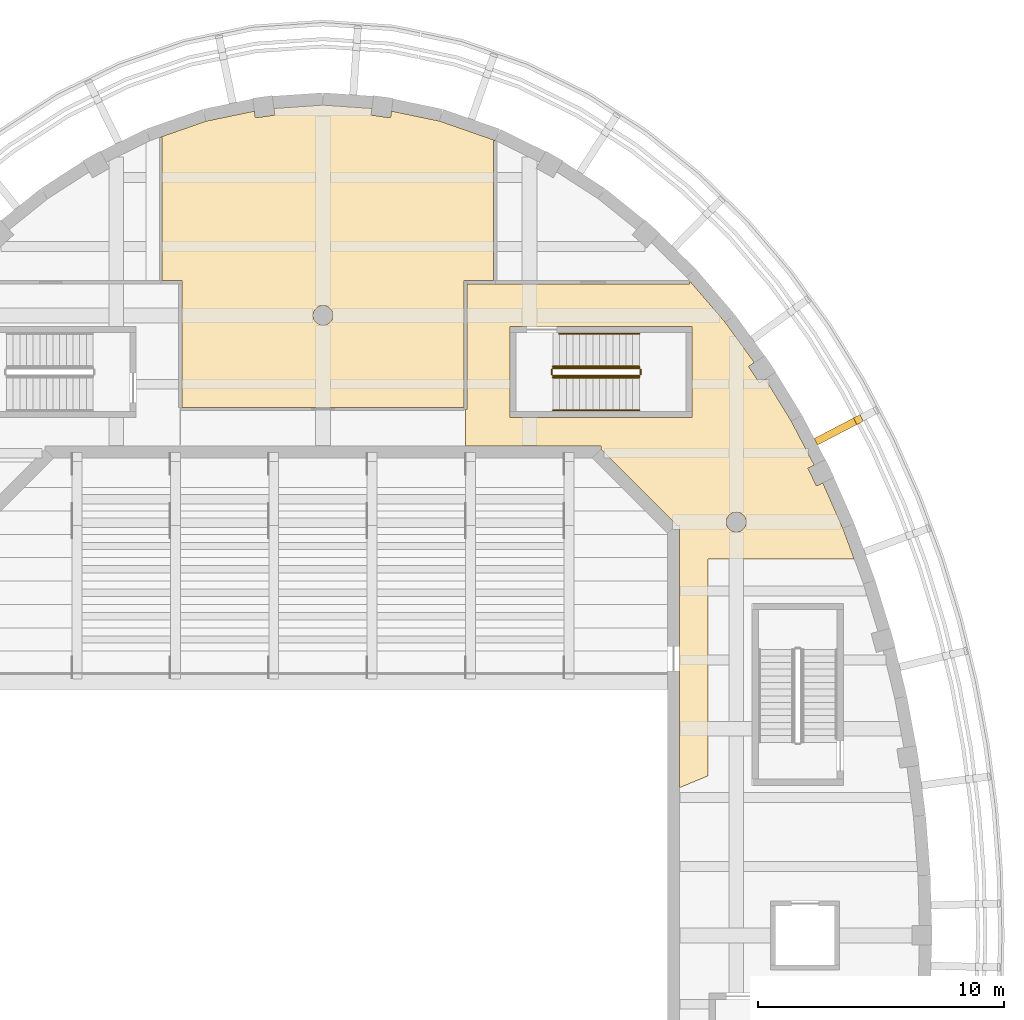
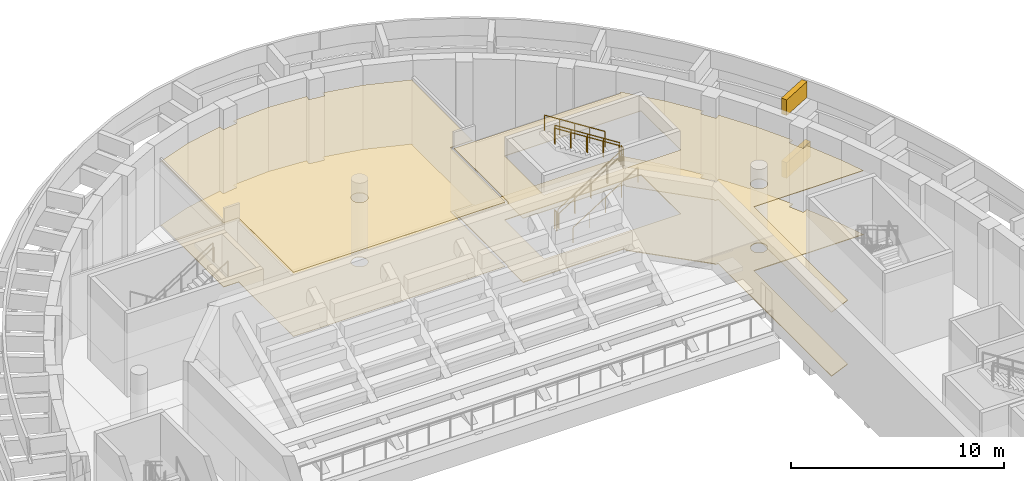
# One storey, part 36 of 37: 8 railings, 6 coverings.
"""IFC4 building model written with IfcOpenShell, lengths in metres."""

from ifc_helpers import new_model, si_unit, direction, frame, origin, origin_2d, place, context, subcontext, project, spatial, polyline, rectangle, circle, outline, extrude, material, layer, layer_set, type_object, element, save


model = new_model("IFC4")

# Units and contexts
model_context = context("Model", 3, precision=1e-05, world=origin(), true_north=direction((0.0, 1.0)))
body_context = subcontext(model_context, "Body", "Model", "MODEL_VIEW")
ifc_project = project(units=[si_unit("LENGTHUNIT", "METRE"), si_unit("AREAUNIT", "SQUARE_METRE"), si_unit("VOLUMEUNIT", "CUBIC_METRE"), si_unit("PLANEANGLEUNIT", "RADIAN"), si_unit("MASSUNIT", "GRAM", prefix="KILO")], contexts=[model_context])

# Site, building, storey
site_placement = place(None, origin())
site = spatial("IfcSite", under=ifc_project, at=site_placement, CompositionType="ELEMENT")
building_placement = place(site_placement, origin())
building = spatial("IfcBuilding", under=site, at=building_placement, Name="Larchfold Concert Hall", CompositionType="ELEMENT")
storey_placement = place(building_placement, frame((0.0, 0.0, 19.199951171875)))
storey = spatial("IfcBuildingStorey", under=building, at=storey_placement, Name="L04", CompositionType="ELEMENT", Elevation=19.199951171875)

# Coverings
ifc_material_1 = material(Name="Plasterboard ceiling lining")
ifc_layer_1 = layer(ifc_material_1, 0.030029296875)
ifc_layer_set_1 = layer_set([ifc_layer_1], Name="Plasterboard ceiling lining")
covering_type_1 = type_object("IfcCoveringType", Name="Ceiling suspended plasterboard 30", PredefinedType="CEILING", material=ifc_layer_set_1)
covering_1_placement = place(storey_placement, frame((0.0, 0.0, 3.670166015625)))
element("IfcCovering", 1, at=covering_1_placement, inside=storey, type_object=covering_type_1, Name="Ceiling Hall Foyer North East", PredefinedType="CEILING", context=body_context, shape_type="SweptSolid", body=[
    extrude(outline(polyline([(48.40087890625, 105.97998046875), (48.40087890625, 104.5), (53.89990234375, 104.5), (53.89990234375, 104.353759765625), (56.9541015625, 101.299560546875), (56.92724609375, 101.272705078125), (56.948974609375, 101.251220703125), (57.10009765625, 101.251220703125), (57.10009765625, 90.606201171875), (58.25, 91.08251953125), (58.252197265625, 99.896484375), (64.19384765625, 99.900146484375), (63.732177734375, 101.1494140625), (62.9169921875, 102.994873046875), (62.658203125, 102.870361328125), (62.3115234375, 103.591552734375), (62.56982421875, 103.715576171875), (61.635986328125, 105.502685546875), (60.579833984375, 107.218994140625), (60.342529296875, 107.060791015625), (59.898681640625, 107.726318359375), (60.13525390625, 107.884033203125), (58.953857421875, 109.514892578125), (57.553955078125, 111.149169921875), (57.4990234375, 111.149169921875), (57.4990234375, 111.073974609375), (49.6201171875, 111.073974609375), (49.6201171875, 111.149169921875), (49.618896484375, 111.08642578125), (48.46337890625, 111.08642578125), (48.46337890625, 105.97998046875), (48.40087890625, 105.97998046875)]), holes=[polyline([(59.29638671875, 101.013427734375), (59.246826171875, 101.0302734375), (59.199951171875, 101.053466796875), (59.156494140625, 101.08251953125), (59.116943359375, 101.116943359375), (59.08251953125, 101.156494140625), (59.053466796875, 101.199951171875), (59.0302734375, 101.246826171875), (59.013427734375, 101.29638671875), (59.00341796875, 101.34765625), (59.0, 101.39990234375), (59.00341796875, 101.4521484375), (59.013427734375, 101.50341796875), (59.0302734375, 101.552978515625), (59.053466796875, 101.599853515625), (59.08251953125, 101.643310546875), (59.116943359375, 101.682861328125), (59.156494140625, 101.71728515625), (59.199951171875, 101.746337890625), (59.246826171875, 101.76953125), (59.29638671875, 101.786376953125), (59.34765625, 101.79638671875), (59.39990234375, 101.7998046875), (59.4521484375, 101.79638671875), (59.50341796875, 101.786376953125), (59.552978515625, 101.76953125), (59.599853515625, 101.746337890625), (59.643310546875, 101.71728515625), (59.682861328125, 101.682861328125), (59.71728515625, 101.643310546875), (59.746337890625, 101.599853515625), (59.76953125, 101.552978515625), (59.786376953125, 101.50341796875), (59.79638671875, 101.4521484375), (59.7998046875, 101.39990234375), (59.79638671875, 101.34765625), (59.786376953125, 101.29638671875), (59.76953125, 101.246826171875), (59.746337890625, 101.199951171875), (59.71728515625, 101.156494140625), (59.682861328125, 101.116943359375), (59.643310546875, 101.08251953125), (59.599853515625, 101.053466796875), (59.552978515625, 101.0302734375), (59.50341796875, 101.013427734375), (59.4521484375, 101.00341796875), (59.39990234375, 101.0), (59.34765625, 101.00341796875), (59.29638671875, 101.013427734375)]), polyline([(50.199951171875, 105.64990234375), (50.199951171875, 109.35009765625), (57.60009765625, 109.35009765625), (57.60009765625, 105.64990234375), (50.199951171875, 105.64990234375)])]), origin(), (0.0, 0.0, 1.0), 0.030029296875),
])
covering_2_placement = place(storey_placement, frame((0.0, 0.0, 3.670166015625)))
element("IfcCovering", 2, at=covering_2_placement, inside=storey, type_object=covering_type_1, Name="Ceiling Hall Control Room", PredefinedType="CEILING", context=body_context, shape_type="SweptSolid", body=[
    extrude(outline(polyline([(36.800048828125, 106.0625), (48.3349609375, 106.0625), (48.3349609375, 106.0), (48.33837890625, 111.21142578125), (49.60009765625, 111.21142578125), (49.60009765625, 111.22509765625), (49.525146484375, 111.22509765625), (49.525146484375, 116.881103515625), (49.60009765625, 116.881103515625), (49.60009765625, 116.910888671875), (47.34130859375, 117.697509765625), (45.385009765625, 118.103271484375), (45.34765625, 117.833251953125), (44.55517578125, 117.942626953125), (44.59228515625, 118.212158203125), (42.60009765625, 118.349609375), (40.60791015625, 118.212158203125), (40.64501953125, 117.942626953125), (39.8525390625, 117.833251953125), (39.815185546875, 118.103271484375), (37.85888671875, 117.697509765625), (36.0, 117.05029296875), (36.0, 117.034912109375), (36.050048828125, 117.034912109375), (36.049072265625, 111.21142578125), (36.861572265625, 111.21142578125), (36.861572265625, 106.06494140625), (36.800048828125, 106.0625)]), holes=[polyline([(42.49658203125, 109.41357421875), (42.400146484375, 109.45361328125), (42.356689453125, 109.482666015625), (42.28271484375, 109.556640625), (42.23046875, 109.64697265625), (42.213623046875, 109.696533203125), (42.20361328125, 109.747802734375), (42.20361328125, 109.852294921875), (42.23046875, 109.953125), (42.253662109375, 110.0), (42.28271484375, 110.04345703125), (42.356689453125, 110.117431640625), (42.447021484375, 110.169677734375), (42.49658203125, 110.1865234375), (42.60009765625, 110.199951171875), (42.65234375, 110.196533203125), (42.70361328125, 110.1865234375), (42.800048828125, 110.146484375), (42.843505859375, 110.117431640625), (42.91748046875, 110.04345703125), (42.9697265625, 109.953125), (42.986572265625, 109.903564453125), (42.99658203125, 109.852294921875), (42.99658203125, 109.747802734375), (42.9697265625, 109.64697265625), (42.946533203125, 109.60009765625), (42.91748046875, 109.556640625), (42.843505859375, 109.482666015625), (42.753173828125, 109.430419921875), (42.70361328125, 109.41357421875), (42.60009765625, 109.400146484375), (42.49658203125, 109.41357421875)])]), origin(), (0.0, 0.0, 1.0), 0.030029296875),
])
ifc_material_2 = material(Name="Polished terrazzo")
ifc_layer_2 = layer(ifc_material_2, 0.0400390625)
ifc_layer_set_2 = layer_set([ifc_layer_2], Name="Polished terrazzo")
covering_type_2 = type_object("IfcCoveringType", Name="Floor finish terrazzo 40", PredefinedType="FLOORING", material=ifc_layer_set_2)
covering_3_placement = place(storey_placement, origin())
element("IfcCovering", 3, at=covering_3_placement, inside=storey, type_object=covering_type_2, Name="Floor finish Hall Foyer North East", PredefinedType="FLOORING", context=body_context, shape_type="SweptSolid", body=[
    extrude(outline(polyline([(48.40087890625, 105.97998046875), (48.40087890625, 104.5), (53.89990234375, 104.5), (53.89990234375, 104.353759765625), (56.9541015625, 101.299560546875), (56.92724609375, 101.272705078125), (56.948974609375, 101.251220703125), (57.10009765625, 101.251220703125), (57.10009765625, 90.606201171875), (58.25, 91.08251953125), (58.252197265625, 99.896484375), (64.19384765625, 99.900146484375), (63.732177734375, 101.1494140625), (62.9169921875, 102.994873046875), (62.658203125, 102.870361328125), (62.3115234375, 103.591552734375), (62.56982421875, 103.715576171875), (61.635986328125, 105.502685546875), (60.579833984375, 107.218994140625), (60.342529296875, 107.060791015625), (59.898681640625, 107.726318359375), (60.13525390625, 107.884033203125), (58.953857421875, 109.514892578125), (57.553955078125, 111.149169921875), (57.4990234375, 111.149169921875), (57.4990234375, 111.073974609375), (49.6201171875, 111.073974609375), (49.6201171875, 111.149169921875), (49.618896484375, 111.08642578125), (48.46337890625, 111.08642578125), (48.46337890625, 105.97998046875), (48.40087890625, 105.97998046875)]), holes=[polyline([(59.29638671875, 101.013427734375), (59.246826171875, 101.0302734375), (59.199951171875, 101.053466796875), (59.156494140625, 101.08251953125), (59.116943359375, 101.116943359375), (59.08251953125, 101.156494140625), (59.053466796875, 101.199951171875), (59.0302734375, 101.246826171875), (59.013427734375, 101.29638671875), (59.00341796875, 101.34765625), (59.0, 101.39990234375), (59.00341796875, 101.4521484375), (59.013427734375, 101.50341796875), (59.0302734375, 101.552978515625), (59.053466796875, 101.599853515625), (59.08251953125, 101.643310546875), (59.116943359375, 101.682861328125), (59.156494140625, 101.71728515625), (59.199951171875, 101.746337890625), (59.246826171875, 101.76953125), (59.29638671875, 101.786376953125), (59.34765625, 101.79638671875), (59.39990234375, 101.7998046875), (59.4521484375, 101.79638671875), (59.50341796875, 101.786376953125), (59.552978515625, 101.76953125), (59.599853515625, 101.746337890625), (59.643310546875, 101.71728515625), (59.682861328125, 101.682861328125), (59.71728515625, 101.643310546875), (59.746337890625, 101.599853515625), (59.76953125, 101.552978515625), (59.786376953125, 101.50341796875), (59.79638671875, 101.4521484375), (59.7998046875, 101.39990234375), (59.79638671875, 101.34765625), (59.786376953125, 101.29638671875), (59.76953125, 101.246826171875), (59.746337890625, 101.199951171875), (59.71728515625, 101.156494140625), (59.682861328125, 101.116943359375), (59.643310546875, 101.08251953125), (59.599853515625, 101.053466796875), (59.552978515625, 101.0302734375), (59.50341796875, 101.013427734375), (59.4521484375, 101.00341796875), (59.39990234375, 101.0), (59.34765625, 101.00341796875), (59.29638671875, 101.013427734375)]), polyline([(50.199951171875, 105.64990234375), (50.199951171875, 109.35009765625), (57.60009765625, 109.35009765625), (57.60009765625, 105.64990234375), (50.199951171875, 105.64990234375)])]), origin(), (0.0, 0.0, 1.0), 0.0400390625),
])
ifc_material_3 = material(Name="Linoleum sheet")
ifc_layer_3 = layer(ifc_material_3, 0.02001953125)
ifc_layer_set_3 = layer_set([ifc_layer_3], Name="Linoleum sheet")
covering_type_3 = type_object("IfcCoveringType", Name="Floor finish vinyl 20", PredefinedType="FLOORING", material=ifc_layer_set_3)
covering_4_placement = place(storey_placement, origin())
element("IfcCovering", 4, at=covering_4_placement, inside=storey, type_object=covering_type_3, Name="Floor finish Hall Control Room", PredefinedType="FLOORING", context=body_context, shape_type="SweptSolid", body=[
    extrude(outline(polyline([(36.800048828125, 106.0625), (48.3349609375, 106.0625), (48.3349609375, 106.0), (48.33837890625, 111.21142578125), (49.60009765625, 111.21142578125), (49.60009765625, 111.22509765625), (49.525146484375, 111.22509765625), (49.525146484375, 116.881103515625), (49.60009765625, 116.881103515625), (49.60009765625, 116.910888671875), (47.34130859375, 117.697509765625), (45.385009765625, 118.103271484375), (45.34765625, 117.833251953125), (44.55517578125, 117.942626953125), (44.59228515625, 118.212158203125), (42.60009765625, 118.349609375), (40.60791015625, 118.212158203125), (40.64501953125, 117.942626953125), (39.8525390625, 117.833251953125), (39.815185546875, 118.103271484375), (37.85888671875, 117.697509765625), (36.0, 117.05029296875), (36.0, 117.034912109375), (36.050048828125, 117.034912109375), (36.049072265625, 111.21142578125), (36.861572265625, 111.21142578125), (36.861572265625, 106.06494140625), (36.800048828125, 106.0625)]), holes=[polyline([(42.49658203125, 109.41357421875), (42.400146484375, 109.45361328125), (42.356689453125, 109.482666015625), (42.28271484375, 109.556640625), (42.23046875, 109.64697265625), (42.213623046875, 109.696533203125), (42.20361328125, 109.747802734375), (42.20361328125, 109.852294921875), (42.23046875, 109.953125), (42.253662109375, 110.0), (42.28271484375, 110.04345703125), (42.356689453125, 110.117431640625), (42.447021484375, 110.169677734375), (42.49658203125, 110.1865234375), (42.60009765625, 110.199951171875), (42.65234375, 110.196533203125), (42.70361328125, 110.1865234375), (42.800048828125, 110.146484375), (42.843505859375, 110.117431640625), (42.91748046875, 110.04345703125), (42.9697265625, 109.953125), (42.986572265625, 109.903564453125), (42.99658203125, 109.852294921875), (42.99658203125, 109.747802734375), (42.9697265625, 109.64697265625), (42.946533203125, 109.60009765625), (42.91748046875, 109.556640625), (42.843505859375, 109.482666015625), (42.753173828125, 109.430419921875), (42.70361328125, 109.41357421875), (42.60009765625, 109.400146484375), (42.49658203125, 109.41357421875)])]), origin(), (0.0, 0.0, 1.0), 0.02001953125),
])
ifc_material_4 = material(Name="Galvanised steel bracket", Category="steel")
ifc_layer_4 = layer(ifc_material_4, 0.300048828125)
ifc_layer_set_4 = layer_set([ifc_layer_4], Name="Galvanised steel bracket")
covering_type_4 = type_object("IfcCoveringType", Name="Ring support bracket", PredefinedType="CLADDING", material=ifc_layer_set_4)
covering_5_placement = place(storey_placement, frame((63.569091796875, 105.150146484375, 0.9501953125), z_axis=(0.0, 0.0, 1.0), x_axis=(0.88627377699, 0.463161734409, 0.0)))
element("IfcCovering", 5, at=covering_5_placement, inside=storey, type_object=covering_type_4, Name="Ring bracket BR-R08-05", PredefinedType="CLADDING", context=body_context, shape_type="SweptSolid", body=[
    extrude(rectangle(XDim=2.10009765625, YDim=0.300048828125, at=origin_2d()), origin(), (0.0, 0.0, 1.0), 0.89990234375),
])
covering_6_placement = place(storey_placement, frame((63.436279296875, 105.08056640625, 4.550048828125), z_axis=(0.0, 0.0, 1.0), x_axis=(0.88627377699, 0.463161734409, 0.0)))
element("IfcCovering", 6, at=covering_6_placement, inside=storey, type_object=covering_type_4, Name="Ring bracket BR-R11-05", PredefinedType="CLADDING", context=body_context, shape_type="SweptSolid", body=[
    extrude(rectangle(XDim=1.800048828125, YDim=0.300048828125, at=origin_2d()), origin(), (0.0, 0.0, 1.0), 0.89990234375),
])

# Railings
ifc_material_5 = material(Name="Stainless steel balustrade", Category="steel")
railing_type_1 = type_object("IfcRailingType", Name="Stair guard 1100", PredefinedType="GUARDRAIL", material=ifc_material_5)
railing_1_placement = place(storey_placement, frame((51.949951171875, 107.349853515625, 0.17138671875)))
element("IfcRailing", 7, at=railing_1_placement, inside=storey, type_object=railing_type_1, Name="Guard GR0007", PredefinedType="GUARDRAIL", context=body_context, shape_type="SweptSolid", body=[
    extrude(circle(Radius=0.02392578125, at=origin_2d()), frame((0.0, 0.0, 1.076171875), z_axis=(0.844192992368, 0.0, 0.536039356425), x_axis=(0.0, 1.0, 0.0)), (0.0, 0.0, 1.0), 4.15771484375),
    extrude(circle(Radius=0.02099609375, at=origin_2d()), origin(), (0.0, 0.0, 1.0), 1.052001953125),
    extrude(circle(Radius=0.02099609375, at=origin_2d()), frame((0.87744140625, 0.0, 0.55712890625)), (0.0, 0.0, 1.0), 1.052001953125),
    extrude(circle(Radius=0.02099609375, at=origin_2d()), frame((1.7548828125, 0.0, 1.1142578125)), (0.0, 0.0, 1.0), 1.052001953125),
    extrude(circle(Radius=0.02099609375, at=origin_2d()), frame((2.632568359375, 0.0, 1.671630859375)), (0.0, 0.0, 1.0), 1.052001953125),
    extrude(circle(Radius=0.02099609375, at=origin_2d()), frame((3.510009765625, 0.0, 2.228759765625)), (0.0, 0.0, 1.0), 1.052001953125),
])
railing_2_placement = place(storey_placement, frame((55.510009765625, 107.39990234375, 2.400146484375)))
element("IfcRailing", 8, at=railing_2_placement, inside=storey, type_object=railing_type_1, Name="Guard GR0008", PredefinedType="GUARDRAIL", context=body_context, shape_type="SweptSolid", body=[
    extrude(circle(Radius=0.02392578125, at=origin_2d()), frame((0.0, 0.0, 1.076171875), z_axis=(0.0, 1.0, 0.0), x_axis=(-1.0, 0.0, 0.0)), (0.0, 0.0, 1.0), 0.199951171875),
    extrude(circle(Radius=0.02099609375, at=origin_2d()), origin(), (0.0, 0.0, 1.0), 1.052001953125),
    extrude(circle(Radius=0.02099609375, at=origin_2d()), frame((0.0, 0.199951171875, 0.0)), (0.0, 0.0, 1.0), 1.052001953125),
])
railing_3_placement = place(storey_placement, frame((55.4599609375, 107.64990234375, 2.571533203125)))
element("IfcRailing", 9, at=railing_3_placement, inside=storey, type_object=railing_type_1, Name="Guard GR0009", PredefinedType="GUARDRAIL", context=body_context, shape_type="SweptSolid", body=[
    extrude(circle(Radius=0.02392578125, at=origin_2d()), frame((0.0, 0.0, 1.076171875), z_axis=(-0.844219563411, 0.0, 0.53599750816), x_axis=(0.0, -1.0, 0.0)), (0.0, 0.0, 1.0), 4.15771484375),
    extrude(circle(Radius=0.02099609375, at=origin_2d()), origin(), (0.0, 0.0, 1.0), 1.052001953125),
    extrude(circle(Radius=0.02099609375, at=origin_2d()), frame((-0.87744140625, 0.0, 0.55712890625)), (0.0, 0.0, 1.0), 1.052001953125),
    extrude(circle(Radius=0.02099609375, at=origin_2d()), frame((-1.7548828125, 0.0, 1.1142578125)), (0.0, 0.0, 1.0), 1.052001953125),
    extrude(circle(Radius=0.02099609375, at=origin_2d()), frame((-2.632568359375, 0.0, 1.67138671875)), (0.0, 0.0, 1.0), 1.052001953125),
    extrude(circle(Radius=0.02099609375, at=origin_2d()), frame((-3.510009765625, 0.0, 2.228515625)), (0.0, 0.0, 1.0), 1.052001953125),
])
railing_4_placement = place(storey_placement, frame((51.89990234375, 107.39990234375, 0.0)))
element("IfcRailing", 10, at=railing_4_placement, inside=storey, type_object=railing_type_1, Name="Guard GR0010", PredefinedType="GUARDRAIL", context=body_context, shape_type="SweptSolid", body=[
    extrude(circle(Radius=0.02392578125, at=origin_2d()), frame((0.0, 0.0, 1.076171875), z_axis=(0.0, 1.0, 0.0), x_axis=(-1.0, 0.0, 0.0)), (0.0, 0.0, 1.0), 0.199951171875),
    extrude(circle(Radius=0.02099609375, at=origin_2d()), origin(), (0.0, 0.0, 1.0), 1.052001953125),
    extrude(circle(Radius=0.02099609375, at=origin_2d()), frame((0.0, 0.199951171875, 0.0)), (0.0, 0.0, 1.0), 1.052001953125),
])
ifc_material_6 = material(Name="Stainless steel handrail", Category="steel")
railing_type_2 = type_object("IfcRailingType", Name="Stair handrail 900", PredefinedType="HANDRAIL", material=ifc_material_6)
railing_5_placement = place(storey_placement, frame((51.949951171875, 105.949951171875, 0.17138671875)))
element("IfcRailing", 11, at=railing_5_placement, inside=storey, type_object=railing_type_2, Name="Handrail HR0005", PredefinedType="HANDRAIL", context=body_context, shape_type="SweptSolid", body=[
    extrude(circle(Radius=0.02392578125, at=origin_2d()), frame((0.0, 0.0, 0.8759765625), z_axis=(0.844192992368, 0.0, 0.536039356425), x_axis=(0.0, 1.0, 0.0)), (0.0, 0.0, 1.0), 4.15771484375),
    extrude(circle(Radius=0.02099609375, at=origin_2d()), origin(), (0.0, 0.0, 1.0), 0.851806640625),
    extrude(circle(Radius=0.02099609375, at=origin_2d()), frame((0.87744140625, 0.0, 0.55712890625)), (0.0, 0.0, 1.0), 0.851806640625),
    extrude(circle(Radius=0.02099609375, at=origin_2d()), frame((1.7548828125, 0.0, 1.1142578125)), (0.0, 0.0, 1.0), 0.851806640625),
    extrude(circle(Radius=0.02099609375, at=origin_2d()), frame((2.632568359375, 0.0, 1.671630859375)), (0.0, 0.0, 1.0), 0.851806640625),
    extrude(circle(Radius=0.02099609375, at=origin_2d()), frame((3.510009765625, 0.0, 2.228759765625)), (0.0, 0.0, 1.0), 0.851806640625),
])
railing_6_placement = place(storey_placement, frame((55.4599609375, 109.0498046875, 2.571533203125)))
element("IfcRailing", 12, at=railing_6_placement, inside=storey, type_object=railing_type_2, Name="Handrail HR0006", PredefinedType="HANDRAIL", context=body_context, shape_type="SweptSolid", body=[
    extrude(circle(Radius=0.02392578125, at=origin_2d()), frame((0.0, 0.0, 0.8759765625), z_axis=(-0.844207819342, 0.0, 0.536016005136), x_axis=(0.0, -1.0, 0.0)), (0.0, 0.0, 1.0), 3.861083984375),
    extrude(circle(Radius=0.02099609375, at=origin_2d()), origin(), (0.0, 0.0, 1.0), 0.851806640625),
    extrude(circle(Radius=0.02099609375, at=origin_2d()), frame((-0.81494140625, 0.0, 0.517333984375)), (0.0, 0.0, 1.0), 0.851806640625),
    extrude(circle(Radius=0.02099609375, at=origin_2d()), frame((-1.6298828125, 0.0, 1.03466796875)), (0.0, 0.0, 1.0), 0.851806640625),
    extrude(circle(Radius=0.02099609375, at=origin_2d()), frame((-2.444580078125, 0.0, 1.55224609375)), (0.0, 0.0, 1.0), 0.851806640625),
    extrude(circle(Radius=0.02099609375, at=origin_2d()), frame((-3.259521484375, 0.0, 2.069580078125)), (0.0, 0.0, 1.0), 0.851806640625),
])
railing_7_placement = place(storey_placement, frame((51.949951171875, 107.27978515625, 0.17138671875)))
element("IfcRailing", 13, at=railing_7_placement, inside=storey, type_object=railing_type_2, Name="Handrail HR0007", PredefinedType="HANDRAIL", context=body_context, shape_type="SweptSolid", body=[
    extrude(circle(Radius=0.02392578125, at=origin_2d()), frame((0.0, 0.0, 0.8759765625), z_axis=(0.844192992368, 0.0, 0.536039356425), x_axis=(0.0, 1.0, 0.0)), (0.0, 0.0, 1.0), 4.15771484375),
    extrude(circle(Radius=0.02099609375, at=origin_2d()), origin(), (0.0, 0.0, 1.0), 0.851806640625),
    extrude(circle(Radius=0.02099609375, at=origin_2d()), frame((0.87744140625, 0.0, 0.55712890625)), (0.0, 0.0, 1.0), 0.851806640625),
    extrude(circle(Radius=0.02099609375, at=origin_2d()), frame((1.7548828125, 0.0, 1.1142578125)), (0.0, 0.0, 1.0), 0.851806640625),
    extrude(circle(Radius=0.02099609375, at=origin_2d()), frame((2.632568359375, 0.0, 1.671630859375)), (0.0, 0.0, 1.0), 0.851806640625),
    extrude(circle(Radius=0.02099609375, at=origin_2d()), frame((3.510009765625, 0.0, 2.228759765625)), (0.0, 0.0, 1.0), 0.851806640625),
])
railing_8_placement = place(storey_placement, frame((55.4599609375, 107.719970703125, 2.571533203125)))
element("IfcRailing", 14, at=railing_8_placement, inside=storey, type_object=railing_type_2, Name="Handrail HR0008", PredefinedType="HANDRAIL", context=body_context, shape_type="SweptSolid", body=[
    extrude(circle(Radius=0.02392578125, at=origin_2d()), frame((0.0, 0.0, 0.8759765625), z_axis=(-0.844219563411, 0.0, 0.53599750816), x_axis=(0.0, -1.0, 0.0)), (0.0, 0.0, 1.0), 4.15771484375),
    extrude(circle(Radius=0.02099609375, at=origin_2d()), origin(), (0.0, 0.0, 1.0), 0.851806640625),
    extrude(circle(Radius=0.02099609375, at=origin_2d()), frame((-0.87744140625, 0.0, 0.55712890625)), (0.0, 0.0, 1.0), 0.851806640625),
    extrude(circle(Radius=0.02099609375, at=origin_2d()), frame((-1.7548828125, 0.0, 1.1142578125)), (0.0, 0.0, 1.0), 0.851806640625),
    extrude(circle(Radius=0.02099609375, at=origin_2d()), frame((-2.632568359375, 0.0, 1.67138671875)), (0.0, 0.0, 1.0), 0.851806640625),
    extrude(circle(Radius=0.02099609375, at=origin_2d()), frame((-3.510009765625, 0.0, 2.228515625)), (0.0, 0.0, 1.0), 0.851806640625),
])

save(model, "model.ifc")
